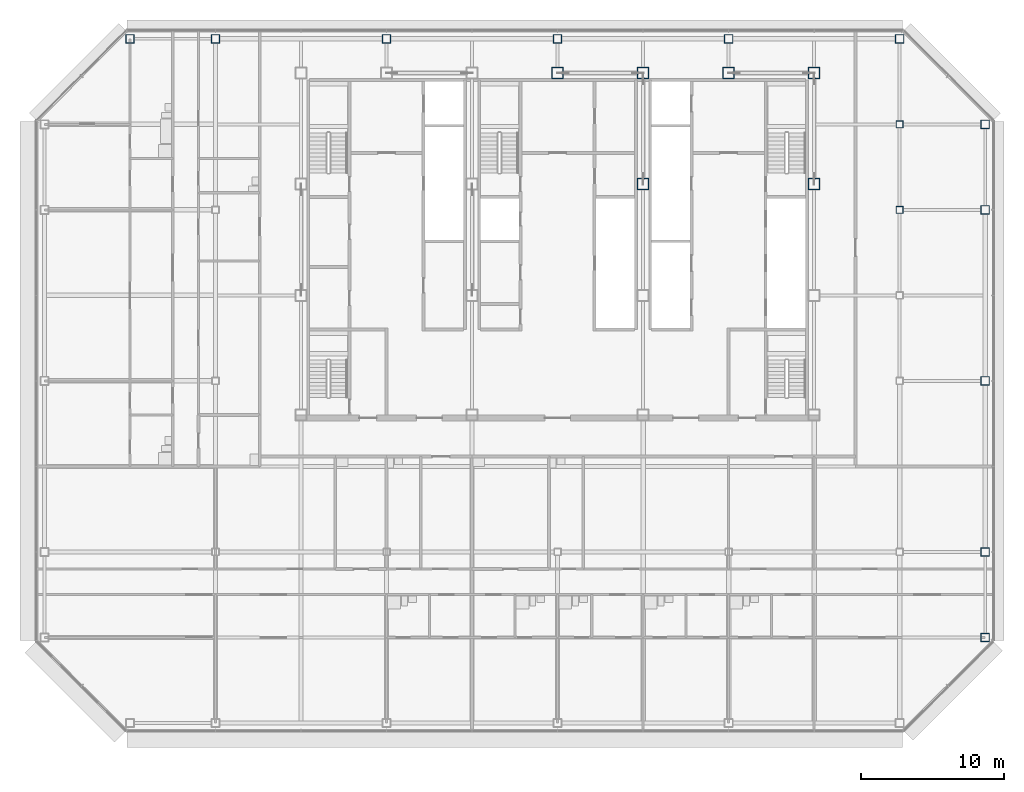
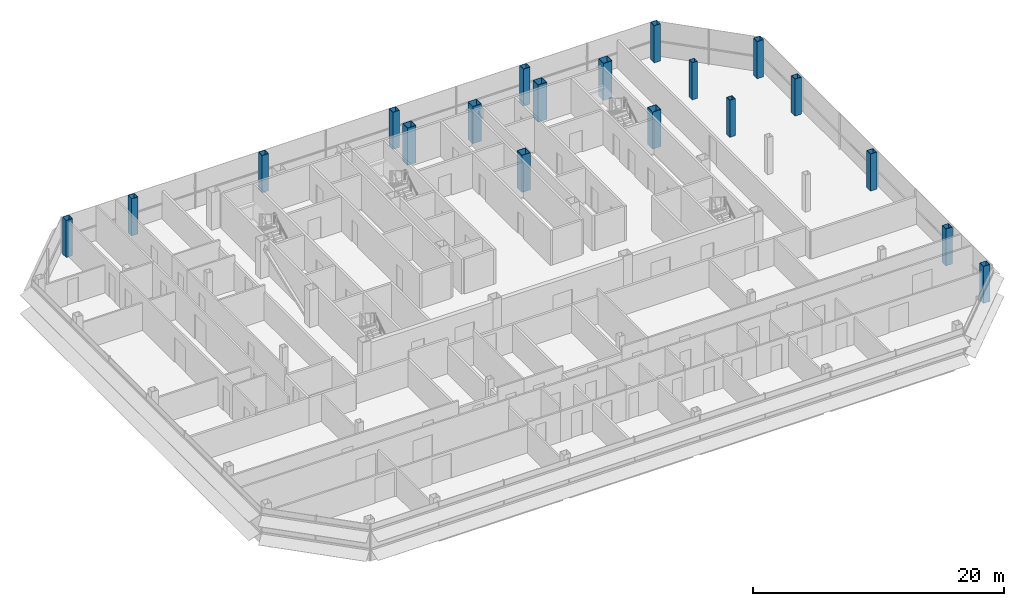
# One storey, part 2 of 28: 19 columns.
"""IFC4 building model written with IfcOpenShell, lengths in metres."""

from ifc_helpers import new_model, si_unit, direction, frame, origin, origin_2d, place, context, subcontext, project, spatial, hollow_rectangle, extrude, material, material_profile, profile_set, type_object, element, save


model = new_model("IFC4")

# Units and contexts
model_context = context("Model", 3, precision=1e-05, world=origin(), true_north=direction((0.0, 1.0)))
body_context = subcontext(model_context, "Body", "Model", "MODEL_VIEW")
ifc_project = project(units=[si_unit("LENGTHUNIT", "METRE"), si_unit("AREAUNIT", "SQUARE_METRE"), si_unit("VOLUMEUNIT", "CUBIC_METRE"), si_unit("PLANEANGLEUNIT", "RADIAN"), si_unit("MASSUNIT", "GRAM", prefix="KILO")], contexts=[model_context])

# Site, building, storey
site_placement = place(None, origin())
site = spatial("IfcSite", under=ifc_project, at=site_placement, CompositionType="ELEMENT")
building_placement = place(site_placement, origin())
building = spatial("IfcBuilding", under=site, at=building_placement, Name="Sorahane Residences", CompositionType="ELEMENT")
storey_placement = place(building_placement, frame((0.0, 0.0, 254.0)))
storey = spatial("IfcBuildingStorey", under=building, at=storey_placement, Name="L60", CompositionType="ELEMENT", Elevation=254.0)

# Columns
ifc_material_1 = material(Name="Steel Q355B", Category="steel")
ifc_material_profile_1 = material_profile(ifc_material_1, hollow_rectangle(XDim=0.5, YDim=0.5, WallThickness=0.02490234375, at=origin_2d()), Name="BOX 500x500x25")
ifc_profile_set_1 = profile_set([ifc_material_profile_1], Name="Steel Q355B")
column_type_1 = type_object("IfcColumnType", Name="Steel box column BOX 500x500x25 Q355B", PredefinedType="COLUMN", material=ifc_profile_set_1)
for number, where, z_axis, x_axis, name in (
    (1, (48.0, 36.0, 0.0), (0.0, 0.0, 1.0), (1.0, 0.0, 0.0), "Column L60 48/36"),
    (2, (48.0, 42.0, 0.0), (0.0, 0.0, 1.0), (1.0, 0.0, 0.0), "Column L60 48/42"),
):
    element("IfcColumn", number, at=place(storey_placement, frame(where, z_axis=z_axis, x_axis=x_axis)), inside=storey, type_object=column_type_1, Name=name, PredefinedType="COLUMN", context=body_context, shape_type="SweptSolid", body=[
        extrude(hollow_rectangle(XDim=0.5, YDim=0.5, WallThickness=0.02490234375, at=origin_2d()), origin(), (0.0, 0.0, 1.0), 3.60009765625),
    ])
ifc_material_2 = material(Name="Steel Q355B", Category="steel")
ifc_material_profile_2 = material_profile(ifc_material_2, hollow_rectangle(XDim=0.60009765625, YDim=0.60009765625, WallThickness=0.028076171875, at=origin_2d()), Name="BOX 600x600x28")
ifc_profile_set_2 = profile_set([ifc_material_profile_2], Name="Steel Q355B")
column_type_2 = type_object("IfcColumnType", Name="Steel box column BOX 600x600x28 Q355B", PredefinedType="COLUMN", material=ifc_profile_set_2)
for number, where, z_axis, x_axis, name in (
    (3, (-6.0, 48.0, 0.0), (0.0, 0.0, 1.0), (1.0, 0.0, 0.0), "Column L60 m6/48"),
    (4, (0.0, 48.0, 0.0), (0.0, 0.0, 1.0), (1.0, 0.0, 0.0), "Column L60 0/48"),
    (5, (12.0, 48.0, 0.0), (0.0, 0.0, 1.0), (1.0, 0.0, 0.0), "Column L60 12/48"),
    (6, (24.0, 48.0, 0.0), (0.0, 0.0, 1.0), (1.0, 0.0, 0.0), "Column L60 24/48"),
    (7, (36.0, 48.0, 0.0), (0.0, 0.0, 1.0), (1.0, 0.0, 0.0), "Column L60 36/48"),
    (8, (48.0, 48.0, 0.0), (0.0, 0.0, 1.0), (1.0, 0.0, 0.0), "Column L60 48/48"),
    (9, (54.0, 6.0, 0.0), (0.0, 0.0, 1.0), (1.0, 0.0, 0.0), "Column L60 54/6"),
    (10, (54.0, 12.0, 0.0), (0.0, 0.0, 1.0), (1.0, 0.0, 0.0), "Column L60 54/12"),
    (11, (54.0, 24.0, 0.0), (0.0, 0.0, 1.0), (1.0, 0.0, 0.0), "Column L60 54/24"),
    (12, (54.0, 36.0, 0.0), (0.0, 0.0, 1.0), (1.0, 0.0, 0.0), "Column L60 54/36"),
    (13, (54.0, 42.0, 0.0), (0.0, 0.0, 1.0), (1.0, 0.0, 0.0), "Column L60 54/42"),
):
    element("IfcColumn", number, at=place(storey_placement, frame(where, z_axis=z_axis, x_axis=x_axis)), inside=storey, type_object=column_type_2, Name=name, PredefinedType="COLUMN", context=body_context, shape_type="SweptSolid", body=[
        extrude(hollow_rectangle(XDim=0.60009765625, YDim=0.60009765625, WallThickness=0.028076171875, at=origin_2d()), origin(), (0.0, 0.0, 1.0), 3.60009765625),
    ])
ifc_material_3 = material(Name="Steel Q355B", Category="steel")
ifc_material_profile_3 = material_profile(ifc_material_3, hollow_rectangle(XDim=0.800048828125, YDim=0.800048828125, WallThickness=0.031982421875, at=origin_2d()), Name="BOX 800x800x32")
ifc_profile_set_3 = profile_set([ifc_material_profile_3], Name="Steel Q355B")
column_type_3 = type_object("IfcColumnType", Name="Steel box column BOX 800x800x32 Q355B", PredefinedType="COLUMN", material=ifc_profile_set_3)
for number, where, z_axis, x_axis, name in (
    (14, (24.0, 45.60009765625, 0.0), (0.0, 0.0, 1.0), (1.0, 0.0, 0.0), "Column L60 24/45.6"),
    (15, (30.0, 37.800048828125, 0.0), (0.0, 0.0, 1.0), (1.0, 0.0, 0.0), "Column L60 30/37.8"),
    (16, (30.0, 45.60009765625, 0.0), (0.0, 0.0, 1.0), (1.0, 0.0, 0.0), "Column L60 30/45.6"),
    (17, (36.0, 45.60009765625, 0.0), (0.0, 0.0, 1.0), (1.0, 0.0, 0.0), "Column L60 36/45.6"),
    (18, (42.0, 37.800048828125, 0.0), (0.0, 0.0, 1.0), (1.0, 0.0, 0.0), "Column L60 42/37.8"),
    (19, (42.0, 45.60009765625, 0.0), (0.0, 0.0, 1.0), (1.0, 0.0, 0.0), "Column L60 42/45.6"),
):
    element("IfcColumn", number, at=place(storey_placement, frame(where, z_axis=z_axis, x_axis=x_axis)), inside=storey, type_object=column_type_3, Name=name, PredefinedType="COLUMN", context=body_context, shape_type="SweptSolid", body=[
        extrude(hollow_rectangle(XDim=0.800048828125, YDim=0.800048828125, WallThickness=0.031982421875, at=origin_2d()), origin(), (0.0, 0.0, 1.0), 3.60009765625),
    ])

save(model, "model.ifc")
